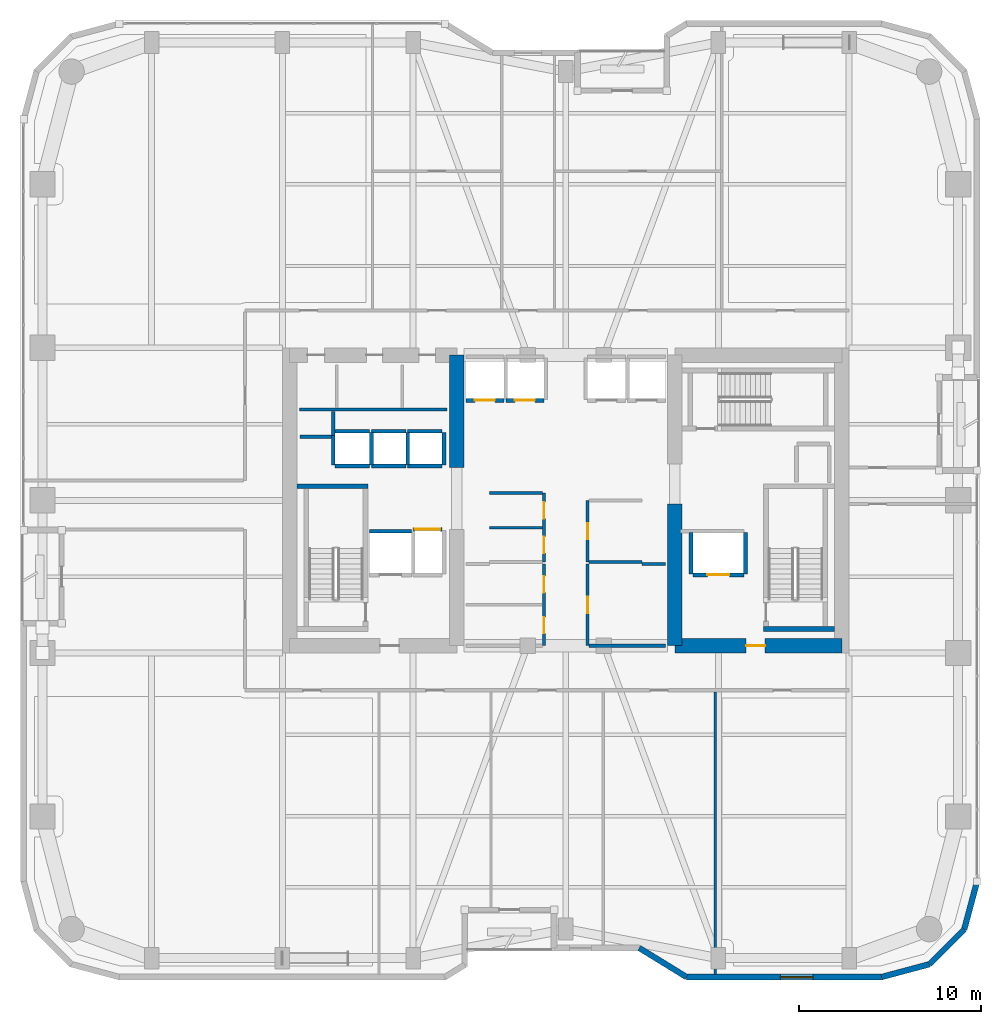
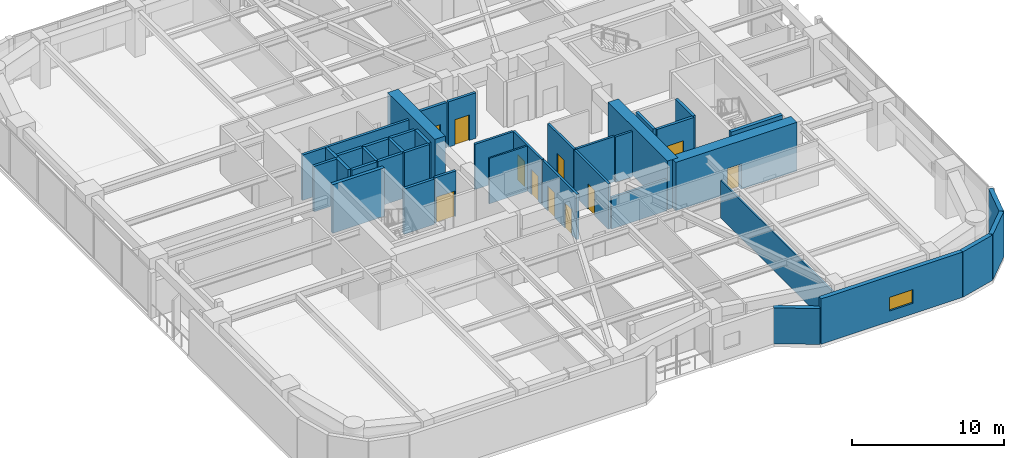
# One storey, part 19 of 24: 40 walls, 11 doors, 1 window, 12 openings.
"""IFC4 building model written with IfcOpenShell, lengths in metres."""

from ifc_helpers import new_model, si_unit, direction, frame, frame_2d, origin, place, context, subcontext, project, spatial, rectangle, extrude, material, layer, layer_set, type_object, element, fill, save


model = new_model("IFC4")

# Units and contexts
model_context = context("Model", 3, precision=1e-05, world=origin(), true_north=direction((0.0, 1.0)))
body_context = subcontext(model_context, "Body", "Model", "MODEL_VIEW")
ifc_project = project(units=[si_unit("LENGTHUNIT", "METRE"), si_unit("AREAUNIT", "SQUARE_METRE"), si_unit("VOLUMEUNIT", "CUBIC_METRE"), si_unit("PLANEANGLEUNIT", "RADIAN"), si_unit("MASSUNIT", "GRAM", prefix="KILO")], contexts=[model_context])

# Site, building, storey
site_placement = place(None, origin())
site = spatial("IfcSite", under=ifc_project, at=site_placement, CompositionType="ELEMENT")
building_placement = place(site_placement, origin())
building = spatial("IfcBuilding", under=site, at=building_placement, Name="Kiyonajd Concourse Tower", CompositionType="ELEMENT")
storey_placement = place(building_placement, frame((0.0, 0.0, 133.800048828125)))
storey = spatial("IfcBuildingStorey", under=building, at=storey_placement, Name="L34", CompositionType="ELEMENT", Elevation=133.800048828125)

# Walls
ifc_material_1 = material(Name="Concrete C70/85", Category="concrete")
ifc_layer_1 = layer(ifc_material_1, 0.800048828125)
ifc_layer_set_1 = layer_set([ifc_layer_1], Name="Concrete C70/85")
wall_type_1 = type_object("IfcWallType", Name="WL-CORE-800", PredefinedType="SHEAR", material=ifc_layer_set_1)
wall_1_placement = place(storey_placement, frame((42.0, 37.800048828125, 0.0), z_axis=(0.0, 0.0, 1.0), x_axis=(0.0, 1.0, 0.0)))
element("IfcWall", 1, at=wall_1_placement, inside=storey, type_object=wall_type_1, Name="L34 West Core Inner North Shear Wall", PredefinedType="SHEAR", context=body_context, shape_type="SweptSolid", body=[
    extrude(rectangle(XDim=6.199951171875, YDim=0.800048828125, at=frame_2d((3.10009765625, 0.0))), origin(), (0.0, 0.0, 1.0), 3.89990234375),
])
wall_2_placement = place(storey_placement, frame((54.0, 28.0, 0.0), z_axis=(0.0, 0.0, 1.0), x_axis=(0.0, 1.0, 0.0)))
element("IfcWall", 2, at=wall_2_placement, inside=storey, type_object=wall_type_1, Name="L34 East Core Inner South Shear Wall", PredefinedType="SHEAR", context=body_context, shape_type="SweptSolid", body=[
    extrude(rectangle(XDim=7.800048828125, YDim=0.800048828125, at=frame_2d((3.89990234375, 0.0))), origin(), (0.0, 0.0, 1.0), 3.89990234375),
])

# Wall, opening, door
wall_3_placement = place(storey_placement, frame((54.0, 28.0, 0.0), z_axis=(0.0, 0.0, 1.0), x_axis=(1.0, 0.0, 0.0)))
wall_3 = element("IfcWall", 3, at=wall_3_placement, inside=storey, type_object=wall_type_1, Name="L34 East Core South Shear Wall", PredefinedType="SHEAR", context=body_context, shape_type="SweptSolid", body=[
    extrude(rectangle(XDim=9.199951171875, YDim=0.800048828125, at=frame_2d((4.60009765625, 0.0))), origin(), (0.0, 0.0, 1.0), 3.89990234375),
])
opening_1_placement = place(wall_3_placement, frame((3.925048828125, 0.0, 0.0)))
opening_1 = element("IfcOpeningElement", 4, at=opening_1_placement, cuts=wall_3, Name="Opening DF5", PredefinedType="OPENING", context=body_context, shape_type="SweptSolid", body=[
    extrude(rectangle(XDim=1.050048828125, YDim=2.0400390625, at=frame_2d((0.52490234375, 1.02001953125))), frame((0.0, 0.409912109375, 0.0), z_axis=(0.0, -1.0, 0.0), x_axis=(1.0, 0.0, 0.0)), (0.0, 0.0, 1.0), 0.820068359375),
])
ifc_material_2 = material(Name="Brushed Stainless Steel Cab Assembly", Category="steel")
door_type_1 = type_object("IfcDoorType", Name="DR-FD45-1050", OperationType="NOTDEFINED", PredefinedType="DOOR", material=ifc_material_2)
door_1_placement = place(opening_1_placement, origin())
door_1 = element("IfcDoor", 5, at=door_1_placement, inside=storey, type_object=door_type_1, Name="L34 Firefighting Lift Lobby E Smoke Door", OperationType="SINGLE_SWING_RIGHT", OverallHeight=2.0400390625, OverallWidth=1.050048828125, PredefinedType="DOOR", context=body_context, shape_type="SweptSolid", body=[
    extrude(rectangle(XDim=1.050048828125, YDim=2.0400390625, at=frame_2d((0.52490234375, 1.02001953125))), frame((0.0, 0.02490234375, 0.0), z_axis=(0.0, -1.0, 0.0), x_axis=(1.0, 0.0, 0.0)), (0.0, 0.0, 1.0), 0.050048828125),
])
fill(opening_1, door_1)

# Walls
ifc_material_3 = material(Name="Precast concrete C50/60", Category="concrete")
ifc_layer_2 = layer(ifc_material_3, 0.320068359375)
ifc_layer_set_2 = layer_set([ifc_layer_2], Name="Precast concrete C50/60")
wall_type_2 = type_object("IfcWallType", Name="WL-EXT-320", PredefinedType="SOLIDWALL", material=ifc_layer_set_2)
wall_4_placement = place(storey_placement, frame((70.639892578125, 15.02099609375, 0.0), z_axis=(0.0, 0.0, 1.0), x_axis=(-0.258613949072, -0.965980758269, 0.0)))
element("IfcWall", 6, at=wall_4_placement, inside=storey, type_object=wall_type_2, Name="L34 Exterior Concrete Frame Wall 25", PredefinedType="SOLIDWALL", context=body_context, shape_type="SweptSolid", body=[
    extrude(rectangle(XDim=2.731201171875, YDim=0.320068359375, at=frame_2d((1.36572265625, 0.0))), origin(), (0.0, 0.0, 1.0), 3.639892578125),
])
wall_5_placement = place(storey_placement, frame((69.93359375, 12.3828125, 0.0), z_axis=(0.0, 0.0, 1.0), x_axis=(-0.707151821269, -0.707061738235, 0.0)))
element("IfcWall", 7, at=wall_5_placement, inside=storey, type_object=wall_type_2, Name="L34 Exterior Concrete Frame Wall 26", PredefinedType="SOLIDWALL", context=body_context, shape_type="SweptSolid", body=[
    extrude(rectangle(XDim=2.710205078125, YDim=0.320068359375, at=frame_2d((1.35498046875, 0.0))), origin(), (0.0, 0.0, 1.0), 3.639892578125),
])
wall_6_placement = place(storey_placement, frame((68.01708984375, 10.466552734375, 0.0), z_axis=(0.0, 0.0, 1.0), x_axis=(-0.965958423373, -0.25869736047, 0.0)))
element("IfcWall", 8, at=wall_6_placement, inside=storey, type_object=wall_type_2, Name="L34 Exterior Concrete Frame Wall 27", PredefinedType="SOLIDWALL", context=body_context, shape_type="SweptSolid", body=[
    extrude(rectangle(XDim=2.731201171875, YDim=0.320068359375, at=frame_2d((1.36572265625, 0.0))), origin(), (0.0, 0.0, 1.0), 3.639892578125),
])

# Wall, opening, window
wall_7_placement = place(storey_placement, frame((65.37890625, 9.760009765625, 0.0), z_axis=(0.0, 0.0, 1.0), x_axis=(-1.0, 0.0, 0.0)))
wall_7 = element("IfcWall", 9, at=wall_7_placement, inside=storey, type_object=wall_type_2, Name="L34 Exterior Concrete Frame Wall 28", PredefinedType="SOLIDWALL", context=body_context, shape_type="SweptSolid", body=[
    extrude(rectangle(XDim=10.733642578125, YDim=0.320068359375, at=frame_2d((5.36669921875, 0.0))), origin(), (0.0, 0.0, 1.0), 3.639892578125),
])
opening_2_placement = place(wall_7_placement, frame((3.76904296875, 0.0, 0.85009765625)))
opening_2 = element("IfcOpeningElement", 10, at=opening_2_placement, cuts=wall_7, Name="Opening WN1", PredefinedType="OPENING", context=body_context, shape_type="SweptSolid", body=[
    extrude(rectangle(XDim=1.800048828125, YDim=1.10009765625, at=frame_2d((0.89990234375, 0.550048828125))), frame((0.0, 0.169921875, 0.0), z_axis=(0.0, -1.0, 0.0), x_axis=(1.0, 0.0, 0.0)), (0.0, 0.0, 1.0), 0.340087890625),
])
ifc_material_4 = material(Name="Double Low-E Insulated Glass", Category="glass")
window_type = type_object("IfcWindowType", Name="WN-VIS-1800x1100", PartitioningType="SINGLE_PANEL", PredefinedType="WINDOW", material=ifc_material_4)
window_placement = place(opening_2_placement, origin())
window = element("IfcWindow", 11, at=window_placement, inside=storey, type_object=window_type, Name="L34 Modular Facade Vision Window 28", OverallHeight=1.10009765625, OverallWidth=1.800048828125, PartitioningType="SINGLE_PANEL", PredefinedType="WINDOW", context=body_context, shape_type="SweptSolid", body=[
    extrude(rectangle(XDim=1.800048828125, YDim=1.10009765625, at=frame_2d((0.89990234375, 0.550048828125))), frame((0.0, 0.030029296875, 0.0), z_axis=(0.0, -1.0, 0.0), x_axis=(1.0, 0.0, 0.0)), (0.0, 0.0, 1.0), 0.06005859375),
])
fill(opening_2, window)

# Walls
wall_8_placement = place(storey_placement, frame((54.645263671875, 9.760009765625, 0.0), z_axis=(0.0, 0.0, 1.0), x_axis=(-0.851630857047, 0.524142044989, 0.0)))
element("IfcWall", 12, at=wall_8_placement, inside=storey, type_object=wall_type_2, Name="L34 Exterior Concrete Frame Wall 29", PredefinedType="SOLIDWALL", context=body_context, shape_type="SweptSolid", body=[
    extrude(rectangle(XDim=3.052734375, YDim=0.320068359375, at=frame_2d((1.5263671875, 0.0))), origin(), (0.0, 0.0, 1.0), 2.875),
])
ifc_material_5 = material(Name="Gypsum Board on Cold-Formed Steel Stud", Category="steel")
ifc_layer_3 = layer(ifc_material_5, 0.125)
ifc_layer_set_3 = layer_set([ifc_layer_3], Name="Gypsum Board on Cold-Formed Steel Stud")
wall_type_3 = type_object("IfcWallType", Name="WL-PART-125", PredefinedType="PARTITIONING", material=ifc_layer_set_3)
wall_9_placement = place(storey_placement, frame((43.800048828125, 34.5, 0.0), z_axis=(0.0, 0.0, 1.0), x_axis=(1.0, 0.0, 0.0)))
element("IfcWall", 13, at=wall_9_placement, inside=storey, type_object=wall_type_3, Name="L34 Interior Partition Wall", PredefinedType="PARTITIONING", context=body_context, shape_type="SweptSolid", body=[
    extrude(rectangle(XDim=2.912841796875, YDim=0.125, at=frame_2d((1.45654296875, 0.0))), origin(), (0.0, 0.0, 1.0), 3.639892578125),
])
wall_10_placement = place(storey_placement, frame((56.22998046875, 9.9150390625, 0.0), z_axis=(0.0, 0.0, 1.0), x_axis=(0.0, 1.0, 0.0)))
element("IfcWall", 14, at=wall_10_placement, inside=storey, type_object=wall_type_3, Name="L34 Interior Partition Wall", PredefinedType="PARTITIONING", context=body_context, shape_type="SweptSolid", body=[
    extrude(rectangle(XDim=15.5478515625, YDim=0.125, at=frame_2d((7.77392578125, 0.0))), origin(), (0.0, 0.0, 1.0), 3.0029296875),
])
ifc_layer_4 = layer(ifc_material_5, 0.18994140625)
ifc_layer_set_4 = layer_set([ifc_layer_4], Name="Gypsum Board on Cold-Formed Steel Stud")
wall_type_4 = type_object("IfcWallType", Name="WL-PLMB-190", PredefinedType="PLUMBINGWALL", material=ifc_layer_set_4)
wall_11_placement = place(storey_placement, frame((33.35009765625, 41.0, 0.0), z_axis=(0.0, 0.0, 1.0), x_axis=(1.0, 0.0, 0.0)))
element("IfcWall", 15, at=wall_11_placement, inside=storey, type_object=wall_type_4, Name="L34 Interior Partition Wall", PredefinedType="PLUMBINGWALL", context=body_context, shape_type="SweptSolid", body=[
    extrude(rectangle(XDim=8.099853515625, YDim=0.18994140625, at=frame_2d((4.0498046875, 0.0))), origin(), (0.0, 0.0, 1.0), 3.639892578125),
])
ifc_layer_5 = layer(ifc_material_5, 0.2099609375)
ifc_layer_set_5 = layer_set([ifc_layer_5], Name="Gypsum Board on Cold-Formed Steel Stud")
wall_type_5 = type_object("IfcWallType", Name="WL-SHAFT-210", PredefinedType="PARTITIONING", material=ifc_layer_set_5)
wall_12_placement = place(storey_placement, frame((33.360107421875, 39.5, 0.0), z_axis=(0.0, 0.0, 1.0), x_axis=(1.0, 0.0, 0.0)))
element("IfcWall", 16, at=wall_12_placement, inside=storey, type_object=wall_type_5, Name="L34 Shaft Enclosure Wall", PredefinedType="PARTITIONING", context=body_context, shape_type="SweptSolid", body=[
    extrude(rectangle(XDim=1.85986328125, YDim=0.2099609375, at=frame_2d((0.929931640625, 0.0))), origin(), (0.0, 0.0, 1.0), 3.639892578125),
])
wall_13_placement = place(storey_placement, frame((35.199951171875, 39.580078125, 0.0), z_axis=(0.0, 0.0, 1.0), x_axis=(0.0, 1.0, 0.0)))
element("IfcWall", 17, at=wall_13_placement, inside=storey, type_object=wall_type_5, Name="L34 Shaft Enclosure Wall", PredefinedType="PARTITIONING", context=body_context, shape_type="SweptSolid", body=[
    extrude(rectangle(XDim=1.31982421875, YDim=0.2099609375, at=frame_2d((0.659912109375, 0.0))), origin(), (0.0, 0.0, 1.0), 3.639892578125),
])
wall_14_placement = place(storey_placement, frame((37.199951171875, 34.300048828125, 0.0), z_axis=(0.0, 0.0, 1.0), x_axis=(1.0, 0.0, 0.0)))
element("IfcWall", 18, at=wall_14_placement, inside=storey, type_object=wall_type_5, Name="L34 Shaft Enclosure Wall", PredefinedType="PARTITIONING", context=body_context, shape_type="SweptSolid", body=[
    extrude(rectangle(XDim=2.300048828125, YDim=0.2099609375, at=frame_2d((1.14990234375, 0.0))), origin(), (0.0, 0.0, 1.0), 3.639892578125),
])

# Wall, opening, door
wall_15_placement = place(storey_placement, frame((55.0, 31.89990234375, 0.0), z_axis=(0.0, 0.0, 1.0), x_axis=(1.0, 0.0, 0.0)))
wall_15 = element("IfcWall", 19, at=wall_15_placement, inside=storey, type_object=wall_type_5, Name="L34 Shaft Enclosure Wall", PredefinedType="PARTITIONING", context=body_context, shape_type="SweptSolid", body=[
    extrude(rectangle(XDim=2.800048828125, YDim=0.2099609375, at=frame_2d((1.39990234375, 0.0))), origin(), (0.0, 0.0, 1.0), 3.639892578125),
])
opening_3_placement = place(wall_15_placement, frame((0.800048828125, 0.0, 0.0)))
opening_3 = element("IfcOpeningElement", 20, at=opening_3_placement, cuts=wall_15, Name="Opening LD2", PredefinedType="OPENING", context=body_context, shape_type="SweptSolid", body=[
    extrude(rectangle(XDim=1.199951171875, YDim=2.0400390625, at=frame_2d((0.60009765625, 1.02001953125))), frame((0.0, 0.114990234375, 0.0), z_axis=(0.0, -1.0, 0.0), x_axis=(1.0, 0.0, 0.0)), (0.0, 0.0, 1.0), 0.22998046875),
])
door_type_2 = type_object("IfcDoorType", Name="DR-LD-1200", OperationType="DOUBLE_DOOR_SLIDING", PredefinedType="DOOR", material=ifc_material_2)
door_2_placement = place(opening_3_placement, origin())
door_2 = element("IfcDoor", 21, at=door_2_placement, inside=storey, type_object=door_type_2, Name="L34 Lift FFL2 Sliding Landing Door", OperationType="DOUBLE_DOOR_SLIDING", OverallHeight=2.0400390625, OverallWidth=1.199951171875, PredefinedType="DOOR", context=body_context, shape_type="SweptSolid", body=[
    extrude(rectangle(XDim=1.199951171875, YDim=2.0400390625, at=frame_2d((0.60009765625, 1.02001953125))), frame((0.0, 0.02490234375, 0.0), z_axis=(0.0, -1.0, 0.0), x_axis=(1.0, 0.0, 0.0)), (0.0, 0.0, 1.0), 0.050048828125),
])
fill(opening_3, door_2)

# Walls
for number, where, z_axis, x_axis, name in (
    (22, (54.89990234375, 31.9599609375, 0.0), (0.0, 0.0, 1.0), (0.0, 1.0, 0.0), "L34 Shaft Enclosure Wall"),
    (23, (57.89990234375, 31.9599609375, 0.0), (0.0, 0.0, 1.0), (0.0, 1.0, 0.0), "L34 Shaft Enclosure Wall"),
):
    element("IfcWall", number, at=place(storey_placement, frame(where, z_axis=z_axis, x_axis=x_axis)), inside=storey, type_object=wall_type_5, Name=name, PredefinedType="PARTITIONING", context=body_context, shape_type="SweptSolid", body=[
        extrude(rectangle(XDim=2.280029296875, YDim=0.2099609375, at=frame_2d((1.14013671875, 0.0))), origin(), (0.0, 0.0, 1.0), 3.639892578125),
    ])

# Wall, opening, door
wall_16_placement = place(storey_placement, frame((39.60009765625, 34.39990234375, 0.0), z_axis=(0.0, 0.0, 1.0), x_axis=(1.0, 0.0, 0.0)))
wall_16 = element("IfcWall", 24, at=wall_16_placement, inside=storey, type_object=wall_type_5, Name="L34 Shaft Enclosure Wall", PredefinedType="PARTITIONING", context=body_context, shape_type="SweptSolid", body=[
    extrude(rectangle(XDim=1.599853515625, YDim=0.2099609375, at=frame_2d((0.7998046875, 0.0))), origin(), (0.0, 0.0, 1.0), 3.639892578125),
])
opening_4_placement = place(wall_16_placement, frame((0.10009765625, 0.0, 0.0)))
opening_4 = element("IfcOpeningElement", 25, at=opening_4_placement, cuts=wall_16, Name="Opening LD3", PredefinedType="OPENING", context=body_context, shape_type="SweptSolid", body=[
    extrude(rectangle(XDim=1.39990234375, YDim=2.06005859375, at=frame_2d((0.699951171875, 1.030029296875))), frame((0.0, 0.114990234375, 0.0), z_axis=(0.0, -1.0, 0.0), x_axis=(1.0, 0.0, 0.0)), (0.0, 0.0, 1.0), 0.22998046875),
])
door_type_3 = type_object("IfcDoorType", Name="DR-LD-1400", OperationType="DOUBLE_DOOR_SLIDING", PredefinedType="DOOR", material=ifc_material_2)
door_3_placement = place(opening_4_placement, origin())
door_3 = element("IfcDoor", 26, at=door_3_placement, inside=storey, type_object=door_type_3, Name="L34 Lift SVL1 Sliding Landing Door", OperationType="DOUBLE_DOOR_SLIDING", OverallHeight=2.06005859375, OverallWidth=1.39990234375, PredefinedType="DOOR", context=body_context, shape_type="SweptSolid", body=[
    extrude(rectangle(XDim=1.39990234375, YDim=2.06005859375, at=frame_2d((0.699951171875, 1.030029296875))), frame((0.0, 0.02490234375, 0.0), z_axis=(0.0, -1.0, 0.0), x_axis=(1.0, 0.0, 0.0)), (0.0, 0.0, 1.0), 0.050048828125),
])
fill(opening_4, door_3)

wall_17_placement = place(storey_placement, frame((42.5, 41.5, 0.0), z_axis=(0.0, 0.0, 1.0), x_axis=(1.0, 0.0, 0.0)))
wall_17 = element("IfcWall", 27, at=wall_17_placement, inside=storey, type_object=wall_type_5, Name="L34 Shaft Enclosure Wall", PredefinedType="PARTITIONING", context=body_context, shape_type="SweptSolid", body=[
    extrude(rectangle(XDim=2.10009765625, YDim=0.2099609375, at=frame_2d((1.050048828125, 0.0))), origin(), (0.0, 0.0, 1.0), 3.639892578125),
])
opening_5_placement = place(wall_17_placement, frame((0.5, 0.0, 0.0)))
opening_5 = element("IfcOpeningElement", 28, at=opening_5_placement, cuts=wall_17, Name="Opening LD1", PredefinedType="OPENING", context=body_context, shape_type="SweptSolid", body=[
    extrude(rectangle(XDim=1.10009765625, YDim=2.0400390625, at=frame_2d((0.550048828125, 1.02001953125))), frame((0.0, 0.114990234375, 0.0), z_axis=(0.0, -1.0, 0.0), x_axis=(1.0, 0.0, 0.0)), (0.0, 0.0, 1.0), 0.22998046875),
])
door_type_4 = type_object("IfcDoorType", Name="DR-LD-1100", OperationType="DOUBLE_DOOR_SLIDING", PredefinedType="DOOR", material=ifc_material_2)
door_4_placement = place(opening_5_placement, origin())
door_4 = element("IfcDoor", 29, at=door_4_placement, inside=storey, type_object=door_type_4, Name="L34 Lift PL-M1 Sliding Landing Door", OperationType="DOUBLE_DOOR_SLIDING", OverallHeight=2.0400390625, OverallWidth=1.10009765625, PredefinedType="DOOR", context=body_context, shape_type="SweptSolid", body=[
    extrude(rectangle(XDim=1.10009765625, YDim=2.0400390625, at=frame_2d((0.550048828125, 1.02001953125))), frame((0.0, 0.02490234375, 0.0), z_axis=(0.0, -1.0, 0.0), x_axis=(1.0, 0.0, 0.0)), (0.0, 0.0, 1.0), 0.050048828125),
])
fill(opening_5, door_4)

wall_18_placement = place(storey_placement, frame((44.699951171875, 41.5, 0.0), z_axis=(0.0, 0.0, 1.0), x_axis=(1.0, 0.0, 0.0)))
wall_18 = element("IfcWall", 30, at=wall_18_placement, inside=storey, type_object=wall_type_5, Name="L34 Shaft Enclosure Wall", PredefinedType="PARTITIONING", context=body_context, shape_type="SweptSolid", body=[
    extrude(rectangle(XDim=2.10009765625, YDim=0.2099609375, at=frame_2d((1.050048828125, 0.0))), origin(), (0.0, 0.0, 1.0), 3.639892578125),
])
opening_6_placement = place(wall_18_placement, frame((0.5, 0.0, 0.0)))
opening_6 = element("IfcOpeningElement", 31, at=opening_6_placement, cuts=wall_18, Name="Opening LD1", PredefinedType="OPENING", context=body_context, shape_type="SweptSolid", body=[
    extrude(rectangle(XDim=1.10009765625, YDim=2.0400390625, at=frame_2d((0.550048828125, 1.02001953125))), frame((0.0, 0.114990234375, 0.0), z_axis=(0.0, -1.0, 0.0), x_axis=(1.0, 0.0, 0.0)), (0.0, 0.0, 1.0), 0.22998046875),
])
door_5_placement = place(opening_6_placement, origin())
door_5 = element("IfcDoor", 32, at=door_5_placement, inside=storey, type_object=door_type_4, Name="L34 Lift PL-M2 Sliding Landing Door", OperationType="DOUBLE_DOOR_SLIDING", OverallHeight=2.0400390625, OverallWidth=1.10009765625, PredefinedType="DOOR", context=body_context, shape_type="SweptSolid", body=[
    extrude(rectangle(XDim=1.10009765625, YDim=2.0400390625, at=frame_2d((0.550048828125, 1.02001953125))), frame((0.0, 0.02490234375, 0.0), z_axis=(0.0, -1.0, 0.0), x_axis=(1.0, 0.0, 0.0)), (0.0, 0.0, 1.0), 0.050048828125),
])
fill(opening_6, door_5)

# Walls
for number, where, z_axis, x_axis, name in (
    (33, (35.300048828125, 37.89990234375, 0.0), (0.0, 0.0, 1.0), (1.0, 0.0, 0.0), "L34 Shaft Enclosure Wall"),
    (34, (35.300048828125, 39.800048828125, 0.0), (0.0, 0.0, 1.0), (1.0, 0.0, 0.0), "L34 Shaft Enclosure Wall"),
):
    element("IfcWall", number, at=place(storey_placement, frame(where, z_axis=z_axis, x_axis=x_axis)), inside=storey, type_object=wall_type_5, Name=name, PredefinedType="PARTITIONING", context=body_context, shape_type="SweptSolid", body=[
        extrude(rectangle(XDim=1.89990234375, YDim=0.2099609375, at=frame_2d((0.949951171875, 0.0))), origin(), (0.0, 0.0, 1.0), 3.639892578125),
    ])
wall_19_placement = place(storey_placement, frame((35.199951171875, 37.9599609375, 0.0), z_axis=(0.0, 0.0, 1.0), x_axis=(0.0, 1.0, 0.0)))
element("IfcWall", 35, at=wall_19_placement, inside=storey, type_object=wall_type_5, Name="L34 Shaft Enclosure Wall", PredefinedType="PARTITIONING", context=body_context, shape_type="SweptSolid", body=[
    extrude(rectangle(XDim=1.6201171875, YDim=0.2099609375, at=frame_2d((0.81005859375, 0.0))), origin(), (0.0, 0.0, 1.0), 3.639892578125),
])
wall_20_placement = place(storey_placement, frame((37.300048828125, 37.9599609375, 0.0), z_axis=(0.0, 0.0, 1.0), x_axis=(0.0, 1.0, 0.0)))
element("IfcWall", 36, at=wall_20_placement, inside=storey, type_object=wall_type_5, Name="L34 Shaft Enclosure Wall", PredefinedType="PARTITIONING", context=body_context, shape_type="SweptSolid", body=[
    extrude(rectangle(XDim=1.780029296875, YDim=0.2099609375, at=frame_2d((0.89013671875, 0.0))), origin(), (0.0, 0.0, 1.0), 3.639892578125),
])
for number, where, z_axis, x_axis, name in (
    (37, (37.300048828125, 37.89990234375, 0.0), (0.0, 0.0, 1.0), (1.0, 0.0, 0.0), "L34 Shaft Enclosure Wall"),
    (38, (37.300048828125, 39.800048828125, 0.0), (0.0, 0.0, 1.0), (1.0, 0.0, 0.0), "L34 Shaft Enclosure Wall"),
):
    element("IfcWall", number, at=place(storey_placement, frame(where, z_axis=z_axis, x_axis=x_axis)), inside=storey, type_object=wall_type_5, Name=name, PredefinedType="PARTITIONING", context=body_context, shape_type="SweptSolid", body=[
        extrude(rectangle(XDim=1.89990234375, YDim=0.2099609375, at=frame_2d((0.949951171875, 0.0))), origin(), (0.0, 0.0, 1.0), 3.639892578125),
    ])
wall_21_placement = place(storey_placement, frame((39.300048828125, 37.9599609375, 0.0), z_axis=(0.0, 0.0, 1.0), x_axis=(0.0, 1.0, 0.0)))
element("IfcWall", 39, at=wall_21_placement, inside=storey, type_object=wall_type_5, Name="L34 Shaft Enclosure Wall", PredefinedType="PARTITIONING", context=body_context, shape_type="SweptSolid", body=[
    extrude(rectangle(XDim=1.780029296875, YDim=0.2099609375, at=frame_2d((0.89013671875, 0.0))), origin(), (0.0, 0.0, 1.0), 3.639892578125),
])
for number, where, z_axis, x_axis, name in (
    (40, (39.300048828125, 37.89990234375, 0.0), (0.0, 0.0, 1.0), (1.0, 0.0, 0.0), "L34 Shaft Enclosure Wall"),
    (41, (39.300048828125, 39.800048828125, 0.0), (0.0, 0.0, 1.0), (1.0, 0.0, 0.0), "L34 Shaft Enclosure Wall"),
):
    element("IfcWall", number, at=place(storey_placement, frame(where, z_axis=z_axis, x_axis=x_axis)), inside=storey, type_object=wall_type_5, Name=name, PredefinedType="PARTITIONING", context=body_context, shape_type="SweptSolid", body=[
        extrude(rectangle(XDim=1.89990234375, YDim=0.2099609375, at=frame_2d((0.949951171875, 0.0))), origin(), (0.0, 0.0, 1.0), 3.639892578125),
    ])
wall_22_placement = place(storey_placement, frame((41.300048828125, 37.9599609375, 0.0), z_axis=(0.0, 0.0, 1.0), x_axis=(0.0, 1.0, 0.0)))
element("IfcWall", 42, at=wall_22_placement, inside=storey, type_object=wall_type_5, Name="L34 Shaft Enclosure Wall", PredefinedType="PARTITIONING", context=body_context, shape_type="SweptSolid", body=[
    extrude(rectangle(XDim=1.780029296875, YDim=0.2099609375, at=frame_2d((0.89013671875, 0.0))), origin(), (0.0, 0.0, 1.0), 3.639892578125),
])

# Wall, openings, doors
ifc_layer_6 = layer(ifc_material_5, 0.169921875)
ifc_layer_set_6 = layer_set([ifc_layer_6], Name="Gypsum Board on Cold-Formed Steel Stud")
wall_type_6 = type_object("IfcWallType", Name="WL-SMK-170", PredefinedType="PARTITIONING", material=ifc_layer_set_6)
wall_23_placement = place(storey_placement, frame((46.800048828125, 32.60009765625, 0.0), z_axis=(0.0, 0.0, 1.0), x_axis=(0.0, 1.0, 0.0)))
wall_23 = element("IfcWall", 43, at=wall_23_placement, inside=storey, type_object=wall_type_6, Name="L34 Interior Partition Wall", PredefinedType="PARTITIONING", context=body_context, shape_type="SweptSolid", body=[
    extrude(rectangle(XDim=3.7998046875, YDim=0.169921875, at=frame_2d((1.89990234375, 0.0))), origin(), (0.0, 0.0, 1.0), 3.639892578125),
])
opening_7_placement = place(wall_23_placement, frame((0.5, 0.0, 0.0)))
opening_7 = element("IfcOpeningElement", 44, at=opening_7_placement, cuts=wall_23, Name="Opening DI2", PredefinedType="OPENING", context=body_context, shape_type="SweptSolid", body=[
    extrude(rectangle(XDim=0.89990234375, YDim=2.02001953125, at=frame_2d((0.449951171875, 1.010009765625))), frame((0.0, 0.094970703125, 0.0), z_axis=(0.0, -1.0, 0.0), x_axis=(1.0, 0.0, 0.0)), (0.0, 0.0, 1.0), 0.18994140625),
])
opening_8_placement = place(wall_23_placement, frame((2.39990234375, 0.0, 0.0)))
opening_8 = element("IfcOpeningElement", 45, at=opening_8_placement, cuts=wall_23, Name="Opening DI2", PredefinedType="OPENING", context=body_context, shape_type="SweptSolid", body=[
    extrude(rectangle(XDim=0.89990234375, YDim=2.02001953125, at=frame_2d((0.449951171875, 1.010009765625))), frame((0.0, 0.094970703125, 0.0), z_axis=(0.0, -1.0, 0.0), x_axis=(1.0, 0.0, 0.0)), (0.0, 0.0, 1.0), 0.18994140625),
])
ifc_material_6 = material(Name="Natural Oak Acoustic Timber Veneer", Category="wood")
door_type_5 = type_object("IfcDoorType", Name="DR-INT-900", OperationType="NOTDEFINED", PredefinedType="DOOR", material=ifc_material_6)
door_6_placement = place(opening_7_placement, origin())
door_6 = element("IfcDoor", 46, at=door_6_placement, inside=storey, type_object=door_type_5, Name="L34 Interior Door", OperationType="SINGLE_SWING_RIGHT", OverallHeight=2.02001953125, OverallWidth=0.89990234375, PredefinedType="DOOR", context=body_context, shape_type="SweptSolid", body=[
    extrude(rectangle(XDim=0.89990234375, YDim=2.02001953125, at=frame_2d((0.449951171875, 1.010009765625))), frame((0.0, 0.02490234375, 0.0), z_axis=(0.0, -1.0, 0.0), x_axis=(1.0, 0.0, 0.0)), (0.0, 0.0, 1.0), 0.050048828125),
])
fill(opening_7, door_6)
door_7_placement = place(opening_8_placement, origin())
door_7 = element("IfcDoor", 47, at=door_7_placement, inside=storey, type_object=door_type_5, Name="L34 Interior Door", OperationType="SINGLE_SWING_LEFT", OverallHeight=2.02001953125, OverallWidth=0.89990234375, PredefinedType="DOOR", context=body_context, shape_type="SweptSolid", body=[
    extrude(rectangle(XDim=0.89990234375, YDim=2.02001953125, at=frame_2d((0.449951171875, 1.010009765625))), frame((0.0, 0.02490234375, 0.0), z_axis=(0.0, -1.0, 0.0), x_axis=(1.0, 0.0, 0.0)), (0.0, 0.0, 1.0), 0.050048828125),
])
fill(opening_8, door_7)

# Wall
wall_24_placement = place(storey_placement, frame((43.800048828125, 36.39990234375, 0.0), z_axis=(0.0, 0.0, 1.0), x_axis=(1.0, 0.0, 0.0)))
element("IfcWall", 48, at=wall_24_placement, inside=storey, type_object=wall_type_6, Name="L34 Interior Partition Wall", PredefinedType="PARTITIONING", context=body_context, shape_type="SweptSolid", body=[
    extrude(rectangle(XDim=2.912841796875, YDim=0.169921875, at=frame_2d((1.45654296875, 0.0))), origin(), (0.0, 0.0, 1.0), 3.639892578125),
])

# Wall, opening, door
wall_25_placement = place(storey_placement, frame((49.199951171875, 32.60009765625, 0.0), z_axis=(0.0, 0.0, 1.0), x_axis=(0.0, 1.0, 0.0)))
wall_25 = element("IfcWall", 49, at=wall_25_placement, inside=storey, type_object=wall_type_6, Name="L34 Interior Partition Wall", PredefinedType="PARTITIONING", context=body_context, shape_type="SweptSolid", body=[
    extrude(rectangle(XDim=3.39990234375, YDim=0.169921875, at=frame_2d((1.699951171875, 0.0))), origin(), (0.0, 0.0, 1.0), 3.639892578125),
])
opening_9_placement = place(wall_25_placement, frame((1.25, 0.0, 0.0)))
opening_9 = element("IfcOpeningElement", 50, at=opening_9_placement, cuts=wall_25, Name="Opening DI2", PredefinedType="OPENING", context=body_context, shape_type="SweptSolid", body=[
    extrude(rectangle(XDim=0.89990234375, YDim=2.02001953125, at=frame_2d((0.449951171875, 1.010009765625))), frame((0.0, 0.094970703125, 0.0), z_axis=(0.0, -1.0, 0.0), x_axis=(1.0, 0.0, 0.0)), (0.0, 0.0, 1.0), 0.18994140625),
])
door_8_placement = place(opening_9_placement, origin())
door_8 = element("IfcDoor", 51, at=door_8_placement, inside=storey, type_object=door_type_5, Name="L34 Interior Door", OperationType="SINGLE_SWING_RIGHT", OverallHeight=2.02001953125, OverallWidth=0.89990234375, PredefinedType="DOOR", context=body_context, shape_type="SweptSolid", body=[
    extrude(rectangle(XDim=0.89990234375, YDim=2.02001953125, at=frame_2d((0.449951171875, 1.010009765625))), frame((0.0, 0.02490234375, 0.0), z_axis=(0.0, -1.0, 0.0), x_axis=(1.0, 0.0, 0.0)), (0.0, 0.0, 1.0), 0.050048828125),
])
fill(opening_9, door_8)

# Wall
wall_26_placement = place(storey_placement, frame((49.287109375, 32.60009765625, 0.0), z_axis=(0.0, 0.0, 1.0), x_axis=(1.0, 0.0, 0.0)))
element("IfcWall", 52, at=wall_26_placement, inside=storey, type_object=wall_type_6, Name="L34 Interior Partition Wall", PredefinedType="PARTITIONING", context=body_context, shape_type="SweptSolid", body=[
    extrude(rectangle(XDim=2.912841796875, YDim=0.169921875, at=frame_2d((1.45654296875, 0.0))), origin(), (0.0, 0.0, 1.0), 3.639892578125),
])

# Wall, openings, doors
wall_27_placement = place(storey_placement, frame((46.800048828125, 28.0, 0.0), z_axis=(0.0, 0.0, 1.0), x_axis=(0.0, 1.0, 0.0)))
wall_27 = element("IfcWall", 53, at=wall_27_placement, inside=storey, type_object=wall_type_6, Name="L34 Interior Partition Wall", PredefinedType="PARTITIONING", context=body_context, shape_type="SweptSolid", body=[
    extrude(rectangle(XDim=4.5, YDim=0.169921875, at=frame_2d((2.25, 0.0))), origin(), (0.0, 0.0, 1.0), 3.639892578125),
])
opening_10_placement = place(wall_27_placement, frame((0.675048828125, 0.0, 0.0)))
opening_10 = element("IfcOpeningElement", 54, at=opening_10_placement, cuts=wall_27, Name="Opening DI2", PredefinedType="OPENING", context=body_context, shape_type="SweptSolid", body=[
    extrude(rectangle(XDim=0.89990234375, YDim=2.02001953125, at=frame_2d((0.449951171875, 1.010009765625))), frame((0.0, 0.094970703125, 0.0), z_axis=(0.0, -1.0, 0.0), x_axis=(1.0, 0.0, 0.0)), (0.0, 0.0, 1.0), 0.18994140625),
])
opening_11_placement = place(wall_27_placement, frame((2.925048828125, 0.0, 0.0)))
opening_11 = element("IfcOpeningElement", 55, at=opening_11_placement, cuts=wall_27, Name="Opening DI2", PredefinedType="OPENING", context=body_context, shape_type="SweptSolid", body=[
    extrude(rectangle(XDim=0.89990234375, YDim=2.02001953125, at=frame_2d((0.449951171875, 1.010009765625))), frame((0.0, 0.094970703125, 0.0), z_axis=(0.0, -1.0, 0.0), x_axis=(1.0, 0.0, 0.0)), (0.0, 0.0, 1.0), 0.18994140625),
])
door_9_placement = place(opening_10_placement, origin())
door_9 = element("IfcDoor", 56, at=door_9_placement, inside=storey, type_object=door_type_5, Name="L34 Interior Door", OperationType="SINGLE_SWING_LEFT", OverallHeight=2.02001953125, OverallWidth=0.89990234375, PredefinedType="DOOR", context=body_context, shape_type="SweptSolid", body=[
    extrude(rectangle(XDim=0.89990234375, YDim=2.02001953125, at=frame_2d((0.449951171875, 1.010009765625))), frame((0.0, 0.02490234375, 0.0), z_axis=(0.0, -1.0, 0.0), x_axis=(1.0, 0.0, 0.0)), (0.0, 0.0, 1.0), 0.050048828125),
])
fill(opening_10, door_9)
door_10_placement = place(opening_11_placement, origin())
door_10 = element("IfcDoor", 57, at=door_10_placement, inside=storey, type_object=door_type_5, Name="L34 Interior Door", OperationType="SINGLE_SWING_RIGHT", OverallHeight=2.02001953125, OverallWidth=0.89990234375, PredefinedType="DOOR", context=body_context, shape_type="SweptSolid", body=[
    extrude(rectangle(XDim=0.89990234375, YDim=2.02001953125, at=frame_2d((0.449951171875, 1.010009765625))), frame((0.0, 0.02490234375, 0.0), z_axis=(0.0, -1.0, 0.0), x_axis=(1.0, 0.0, 0.0)), (0.0, 0.0, 1.0), 0.050048828125),
])
fill(opening_11, door_10)

# Wall, opening, door
wall_28_placement = place(storey_placement, frame((49.199951171875, 28.0, 0.0), z_axis=(0.0, 0.0, 1.0), x_axis=(0.0, 1.0, 0.0)))
wall_28 = element("IfcWall", 58, at=wall_28_placement, inside=storey, type_object=wall_type_6, Name="L34 Interior Partition Wall", PredefinedType="PARTITIONING", context=body_context, shape_type="SweptSolid", body=[
    extrude(rectangle(XDim=4.5, YDim=0.169921875, at=frame_2d((2.25, 0.0))), origin(), (0.0, 0.0, 1.0), 3.639892578125),
])
opening_12_placement = place(wall_28_placement, frame((1.800048828125, 0.0, 0.0)))
opening_12 = element("IfcOpeningElement", 59, at=opening_12_placement, cuts=wall_28, Name="Opening DI2", PredefinedType="OPENING", context=body_context, shape_type="SweptSolid", body=[
    extrude(rectangle(XDim=0.89990234375, YDim=2.02001953125, at=frame_2d((0.449951171875, 1.010009765625))), frame((0.0, 0.094970703125, 0.0), z_axis=(0.0, -1.0, 0.0), x_axis=(1.0, 0.0, 0.0)), (0.0, 0.0, 1.0), 0.18994140625),
])
door_11_placement = place(opening_12_placement, origin())
door_11 = element("IfcDoor", 60, at=door_11_placement, inside=storey, type_object=door_type_5, Name="L34 Interior Door", OperationType="SINGLE_SWING_LEFT", OverallHeight=2.02001953125, OverallWidth=0.89990234375, PredefinedType="DOOR", context=body_context, shape_type="SweptSolid", body=[
    extrude(rectangle(XDim=0.89990234375, YDim=2.02001953125, at=frame_2d((0.449951171875, 1.010009765625))), frame((0.0, 0.02490234375, 0.0), z_axis=(0.0, -1.0, 0.0), x_axis=(1.0, 0.0, 0.0)), (0.0, 0.0, 1.0), 0.050048828125),
])
fill(opening_12, door_11)

# Walls
wall_29_placement = place(storey_placement, frame((49.287109375, 28.0, 0.0), z_axis=(0.0, 0.0, 1.0), x_axis=(1.0, 0.0, 0.0)))
element("IfcWall", 61, at=wall_29_placement, inside=storey, type_object=wall_type_6, Name="L34 Interior Partition Wall", PredefinedType="PARTITIONING", context=body_context, shape_type="SweptSolid", body=[
    extrude(rectangle(XDim=4.212890625, YDim=0.169921875, at=frame_2d((2.1064453125, 0.0))), origin(), (0.0, 0.0, 1.0), 2.52490234375),
])
wall_30_placement = place(storey_placement, frame((52.199951171875, 32.5, 0.0), z_axis=(0.0, 0.0, 1.0), x_axis=(1.0, 0.0, 0.0)))
element("IfcWall", 62, at=wall_30_placement, inside=storey, type_object=wall_type_6, Name="L34 Interior Partition Wall", PredefinedType="PARTITIONING", context=body_context, shape_type="SweptSolid", body=[
    extrude(rectangle(XDim=1.300048828125, YDim=0.169921875, at=frame_2d((0.64990234375, 0.0))), origin(), (0.0, 0.0, 1.0), 3.639892578125),
])
ifc_material_7 = material(Name="Concrete C50/60", Category="concrete")
ifc_layer_7 = layer(ifc_material_7, 0.260009765625)
ifc_layer_set_7 = layer_set([ifc_layer_7], Name="Concrete C50/60")
wall_type_7 = type_object("IfcWallType", Name="WL-STAIR-260", PredefinedType="SHEAR", material=ifc_layer_set_7)
for number, where, z_axis, x_axis, name in (
    (63, (33.199951171875, 36.780029296875, 0.0), (0.0, 0.0, 1.0), (1.0, 0.0, 0.0), "L34 Stair ST1 Structural North Wall"),
    (64, (58.889892578125, 28.919921875, 0.0), (0.0, 0.0, 1.0), (1.0, 0.0, 0.0), "L34 Stair ST2 Structural South Wall"),
):
    element("IfcWall", number, at=place(storey_placement, frame(where, z_axis=z_axis, x_axis=x_axis)), inside=storey, type_object=wall_type_7, Name=name, PredefinedType="SHEAR", context=body_context, shape_type="SweptSolid", body=[
        extrude(rectangle(XDim=3.91015625, YDim=0.260009765625, at=frame_2d((1.955078125, 0.0))), origin(), (0.0, 0.0, 1.0), 3.89990234375),
    ])

save(model, "model.ifc")
